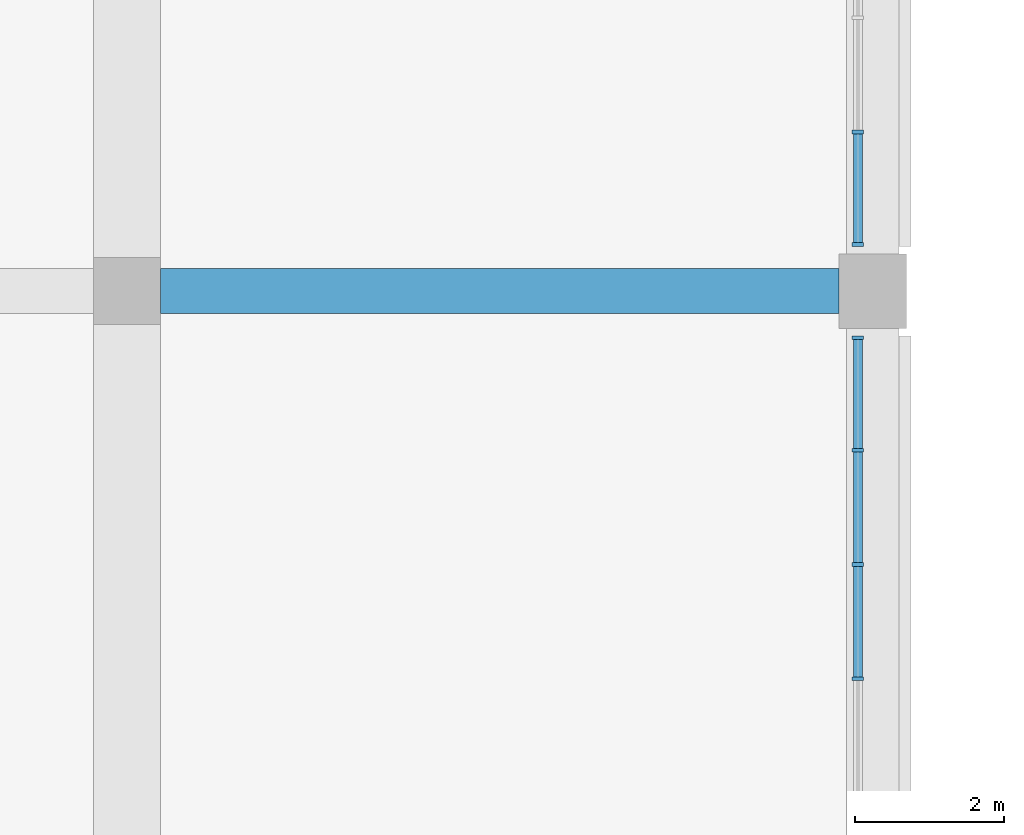
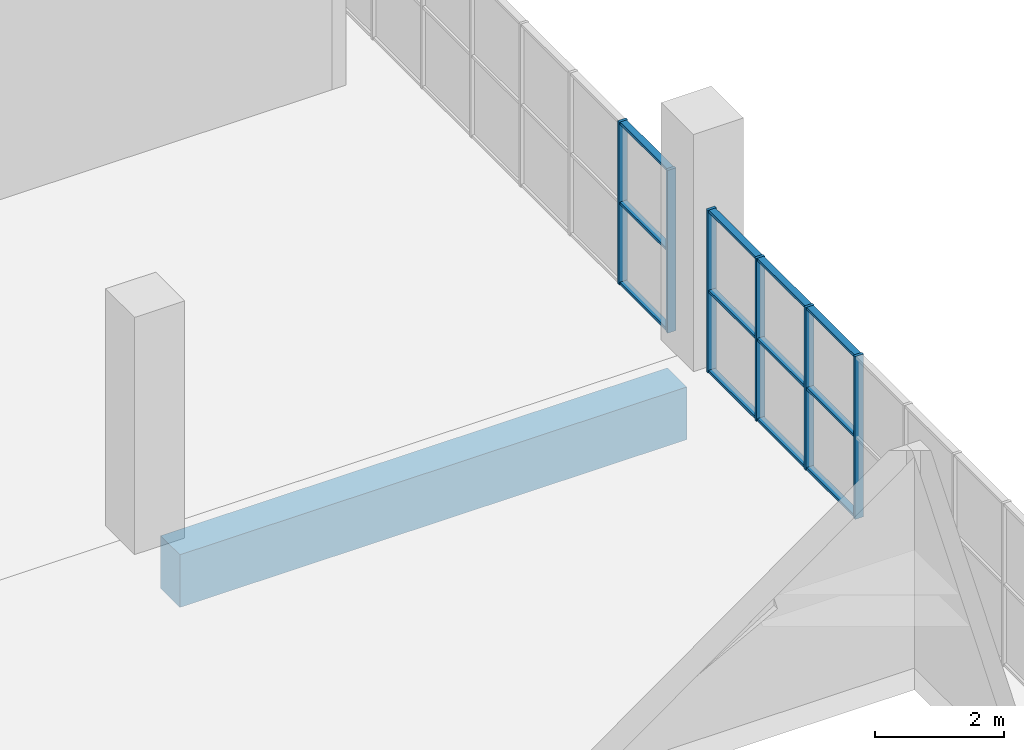
# One storey, part 33 of 199: 18 members, 1 beam, 2 elements without a shape of their own.
"""IFC4 building model written with IfcOpenShell, lengths in metres."""

from ifc_helpers import new_model, si_unit, direction, frame, origin, origin_2d, place, context, subcontext, project, spatial, rectangle, extrude, material, material_profile, profile_set, type_object, element, aggregate, save


model = new_model("IFC4")

# Units and contexts
model_context = context("Model", 3, precision=1e-05, world=origin(), true_north=direction((0.0, 1.0)))
body_context = subcontext(model_context, "Body", "Model", "MODEL_VIEW")
ifc_project = project(units=[si_unit("LENGTHUNIT", "METRE"), si_unit("AREAUNIT", "SQUARE_METRE"), si_unit("VOLUMEUNIT", "CUBIC_METRE"), si_unit("PLANEANGLEUNIT", "RADIAN"), si_unit("MASSUNIT", "GRAM", prefix="KILO")], contexts=[model_context])

# Site, building, storey
site_placement = place(None, origin())
site = spatial("IfcSite", under=ifc_project, at=site_placement, CompositionType="ELEMENT")
building_placement = place(site_placement, origin())
building = spatial("IfcBuilding", under=site, at=building_placement, Name="Ogive Plaza Stadium", CompositionType="ELEMENT")
storey_placement = place(building_placement, frame((0.0, 0.0, 4.5)))
storey = spatial("IfcBuildingStorey", under=building, at=storey_placement, Name="L01", CompositionType="ELEMENT", Elevation=4.5)

# Curtain wall, members
ifc_material_1 = material(Name="Bronze-anodised aluminium with laminated glass", Category="aluminium")
curtain_wall_type = type_object("IfcCurtainWallType", Name="Lancet curtain wall", PredefinedType="NOTDEFINED", material=ifc_material_1)
curtain_wall_1_placement = place(storey_placement, origin())
curtain_wall_1 = element("IfcCurtainWall", 1, at=curtain_wall_1_placement, inside=storey, type_object=curtain_wall_type, Name="CURTAIN WALL B02 L01", PredefinedType="NOTDEFINED")
ifc_material_2 = material(Name="Bronze-anodised aluminium", Category="aluminium")
ifc_material_profile_1 = material_profile(ifc_material_2, rectangle(XDim=0.14990234375, YDim=0.050048828125, at=origin_2d()), Name="AL 150x50")
ifc_profile_set_1 = profile_set([ifc_material_profile_1], Name="Bronze-anodised aluminium")
member_type_1 = type_object("IfcMemberType", Name="Curtain wall mullion 50x150", PredefinedType="MULLION", material=ifc_profile_set_1)
member_1_placement = place(storey_placement, frame((83.800048828125, 24.63330078125, 0.0), z_axis=(0.0, 0.0, 1.0), x_axis=(1.0, 0.0, 0.0)))
member_1 = element("IfcMember", 2, at=member_1_placement, type_object=member_type_1, Name="CW-B02-L01 mullion 9", PredefinedType="MULLION", context=body_context, shape_type="SweptSolid", body=[
    extrude(rectangle(XDim=0.14990234375, YDim=0.050048828125, at=origin_2d()), origin(), (0.0, 0.0, 1.0), 3.090087890625),
])
member_2_placement = place(storey_placement, frame((83.800048828125, 23.125, 0.0), z_axis=(0.0, 0.0, 1.0), x_axis=(1.0, 0.0, 0.0)))
member_2 = element("IfcMember", 3, at=member_2_placement, type_object=member_type_1, Name="CW-B02-L01 mullion 10", PredefinedType="MULLION", context=body_context, shape_type="SweptSolid", body=[
    extrude(rectangle(XDim=0.14990234375, YDim=0.050048828125, at=origin_2d()), origin(), (0.0, 0.0, 1.0), 3.090087890625),
])

curtain_wall_2_placement = place(storey_placement, origin())
curtain_wall_2 = element("IfcCurtainWall", 4, at=curtain_wall_2_placement, inside=storey, type_object=curtain_wall_type, Name="CURTAIN WALL B03 L01", PredefinedType="NOTDEFINED")
member_3_placement = place(storey_placement, frame((83.800048828125, 21.875, 0.0), z_axis=(0.0, 0.0, 1.0), x_axis=(1.0, 0.0, 0.0)))
member_3 = element("IfcMember", 5, at=member_3_placement, type_object=member_type_1, Name="CW-B03-L01 mullion 1", PredefinedType="MULLION", context=body_context, shape_type="SweptSolid", body=[
    extrude(rectangle(XDim=0.14990234375, YDim=0.050048828125, at=origin_2d()), origin(), (0.0, 0.0, 1.0), 3.090087890625),
])
member_4_placement = place(storey_placement, frame((83.800048828125, 20.36669921875, 0.0), z_axis=(0.0, 0.0, 1.0), x_axis=(1.0, 0.0, 0.0)))
member_4 = element("IfcMember", 6, at=member_4_placement, type_object=member_type_1, Name="CW-B03-L01 mullion 2", PredefinedType="MULLION", context=body_context, shape_type="SweptSolid", body=[
    extrude(rectangle(XDim=0.14990234375, YDim=0.050048828125, at=origin_2d()), origin(), (0.0, 0.0, 1.0), 3.090087890625),
])
member_5_placement = place(storey_placement, frame((83.800048828125, 18.833251953125, 0.0), z_axis=(0.0, 0.0, 1.0), x_axis=(1.0, 0.0, 0.0)))
member_5 = element("IfcMember", 7, at=member_5_placement, type_object=member_type_1, Name="CW-B03-L01 mullion 3", PredefinedType="MULLION", context=body_context, shape_type="SweptSolid", body=[
    extrude(rectangle(XDim=0.14990234375, YDim=0.050048828125, at=origin_2d()), origin(), (0.0, 0.0, 1.0), 3.090087890625),
])
member_6_placement = place(storey_placement, frame((83.800048828125, 17.300048828125, 0.0), z_axis=(0.0, 0.0, 1.0), x_axis=(1.0, 0.0, 0.0)))
member_6 = element("IfcMember", 8, at=member_6_placement, type_object=member_type_1, Name="CW-B03-L01 mullion 4", PredefinedType="MULLION", context=body_context, shape_type="SweptSolid", body=[
    extrude(rectangle(XDim=0.14990234375, YDim=0.050048828125, at=origin_2d()), origin(), (0.0, 0.0, 1.0), 3.090087890625),
])

# Member
ifc_material_3 = material(Name="Bronze-anodised aluminium", Category="aluminium")
ifc_material_profile_2 = material_profile(ifc_material_3, rectangle(XDim=0.1201171875, YDim=0.050048828125, at=origin_2d()), Name="AL 120x50")
ifc_profile_set_2 = profile_set([ifc_material_profile_2], Name="Bronze-anodised aluminium")
member_type_2 = type_object("IfcMemberType", Name="Curtain wall transom 50x120", PredefinedType="USERDEFINED", material=ifc_profile_set_2)
member_7_placement = place(storey_placement, frame((83.800048828125, 24.6083984375, 0.02490234375), z_axis=(0.0, -1.0, 0.0), x_axis=(1.0, 0.0, 0.0)))
member_7 = element("IfcMember", 9, at=member_7_placement, type_object=member_type_2, Name="CW-B02-L01 transom 9.1", ObjectType="TRANSOM", PredefinedType="USERDEFINED", context=body_context, shape_type="SweptSolid", body=[
    extrude(rectangle(XDim=0.1201171875, YDim=0.050048828125, at=origin_2d()), origin(), (0.0, 0.0, 1.0), 1.45849609375),
])

member_8_placement = place(storey_placement, frame((83.800048828125, 24.6083984375, 1.544921875), z_axis=(0.0, -1.0, 0.0), x_axis=(1.0, 0.0, 0.0)))
member_8 = element("IfcMember", 10, at=member_8_placement, type_object=member_type_2, Name="CW-B02-L01 transom 9.2", ObjectType="TRANSOM", PredefinedType="USERDEFINED", context=body_context, shape_type="SweptSolid", body=[
    extrude(rectangle(XDim=0.1201171875, YDim=0.050048828125, at=origin_2d()), origin(), (0.0, 0.0, 1.0), 1.45849609375),
])

member_9_placement = place(storey_placement, frame((83.800048828125, 24.6083984375, 3.06494140625), z_axis=(0.0, -1.0, 0.0), x_axis=(1.0, 0.0, 0.0)))
member_9 = element("IfcMember", 11, at=member_9_placement, type_object=member_type_2, Name="CW-B02-L01 transom 9.3", ObjectType="TRANSOM", PredefinedType="USERDEFINED", context=body_context, shape_type="SweptSolid", body=[
    extrude(rectangle(XDim=0.1201171875, YDim=0.050048828125, at=origin_2d()), origin(), (0.0, 0.0, 1.0), 1.45849609375),
])

aggregate(curtain_wall_1, [member_1, member_2, member_7, member_8, member_9])

member_10_placement = place(storey_placement, frame((83.800048828125, 21.85009765625, 0.02490234375), z_axis=(0.0, -1.0, 0.0), x_axis=(1.0, 0.0, 0.0)))
member_10 = element("IfcMember", 12, at=member_10_placement, type_object=member_type_2, Name="CW-B03-L01 transom 1.1", ObjectType="TRANSOM", PredefinedType="USERDEFINED", context=body_context, shape_type="SweptSolid", body=[
    extrude(rectangle(XDim=0.1201171875, YDim=0.050048828125, at=origin_2d()), origin(), (0.0, 0.0, 1.0), 1.45849609375),
])

member_11_placement = place(storey_placement, frame((83.800048828125, 21.85009765625, 1.544921875), z_axis=(0.0, -1.0, 0.0), x_axis=(1.0, 0.0, 0.0)))
member_11 = element("IfcMember", 13, at=member_11_placement, type_object=member_type_2, Name="CW-B03-L01 transom 1.2", ObjectType="TRANSOM", PredefinedType="USERDEFINED", context=body_context, shape_type="SweptSolid", body=[
    extrude(rectangle(XDim=0.1201171875, YDim=0.050048828125, at=origin_2d()), origin(), (0.0, 0.0, 1.0), 1.45849609375),
])

member_12_placement = place(storey_placement, frame((83.800048828125, 21.85009765625, 3.06494140625), z_axis=(0.0, -1.0, 0.0), x_axis=(1.0, 0.0, 0.0)))
member_12 = element("IfcMember", 14, at=member_12_placement, type_object=member_type_2, Name="CW-B03-L01 transom 1.3", ObjectType="TRANSOM", PredefinedType="USERDEFINED", context=body_context, shape_type="SweptSolid", body=[
    extrude(rectangle(XDim=0.1201171875, YDim=0.050048828125, at=origin_2d()), origin(), (0.0, 0.0, 1.0), 1.45849609375),
])

member_13_placement = place(storey_placement, frame((83.800048828125, 20.341552734375, 0.02490234375), z_axis=(0.0, -1.0, 0.0), x_axis=(1.0, 0.0, 0.0)))
member_13 = element("IfcMember", 15, at=member_13_placement, type_object=member_type_2, Name="CW-B03-L01 transom 2.1", ObjectType="TRANSOM", PredefinedType="USERDEFINED", context=body_context, shape_type="SweptSolid", body=[
    extrude(rectangle(XDim=0.1201171875, YDim=0.050048828125, at=origin_2d()), origin(), (0.0, 0.0, 1.0), 1.483154296875),
])

member_14_placement = place(storey_placement, frame((83.800048828125, 20.341552734375, 1.544921875), z_axis=(0.0, -1.0, 0.0), x_axis=(1.0, 0.0, 0.0)))
member_14 = element("IfcMember", 16, at=member_14_placement, type_object=member_type_2, Name="CW-B03-L01 transom 2.2", ObjectType="TRANSOM", PredefinedType="USERDEFINED", context=body_context, shape_type="SweptSolid", body=[
    extrude(rectangle(XDim=0.1201171875, YDim=0.050048828125, at=origin_2d()), origin(), (0.0, 0.0, 1.0), 1.483154296875),
])

member_15_placement = place(storey_placement, frame((83.800048828125, 20.341552734375, 3.06494140625), z_axis=(0.0, -1.0, 0.0), x_axis=(1.0, 0.0, 0.0)))
member_15 = element("IfcMember", 17, at=member_15_placement, type_object=member_type_2, Name="CW-B03-L01 transom 2.3", ObjectType="TRANSOM", PredefinedType="USERDEFINED", context=body_context, shape_type="SweptSolid", body=[
    extrude(rectangle(XDim=0.1201171875, YDim=0.050048828125, at=origin_2d()), origin(), (0.0, 0.0, 1.0), 1.483154296875),
])

member_16_placement = place(storey_placement, frame((83.800048828125, 18.808349609375, 0.02490234375), z_axis=(0.0, -1.0, 0.0), x_axis=(1.0, 0.0, 0.0)))
member_16 = element("IfcMember", 18, at=member_16_placement, type_object=member_type_2, Name="CW-B03-L01 transom 3.1", ObjectType="TRANSOM", PredefinedType="USERDEFINED", context=body_context, shape_type="SweptSolid", body=[
    extrude(rectangle(XDim=0.1201171875, YDim=0.050048828125, at=origin_2d()), origin(), (0.0, 0.0, 1.0), 1.4833984375),
])

member_17_placement = place(storey_placement, frame((83.800048828125, 18.808349609375, 1.544921875), z_axis=(0.0, -1.0, 0.0), x_axis=(1.0, 0.0, 0.0)))
member_17 = element("IfcMember", 19, at=member_17_placement, type_object=member_type_2, Name="CW-B03-L01 transom 3.2", ObjectType="TRANSOM", PredefinedType="USERDEFINED", context=body_context, shape_type="SweptSolid", body=[
    extrude(rectangle(XDim=0.1201171875, YDim=0.050048828125, at=origin_2d()), origin(), (0.0, 0.0, 1.0), 1.4833984375),
])

member_18_placement = place(storey_placement, frame((83.800048828125, 18.808349609375, 3.06494140625), z_axis=(0.0, -1.0, 0.0), x_axis=(1.0, 0.0, 0.0)))
member_18 = element("IfcMember", 20, at=member_18_placement, type_object=member_type_2, Name="CW-B03-L01 transom 3.3", ObjectType="TRANSOM", PredefinedType="USERDEFINED", context=body_context, shape_type="SweptSolid", body=[
    extrude(rectangle(XDim=0.1201171875, YDim=0.050048828125, at=origin_2d()), origin(), (0.0, 0.0, 1.0), 1.4833984375),
])

aggregate(curtain_wall_2, [member_3, member_4, member_5, member_6, member_10, member_11, member_12, member_13, member_14, member_15, member_16, member_17, member_18])

# Beam
ifc_material_4 = material(Name="Concrete C40/50", Category="concrete")
ifc_material_profile_3 = material_profile(ifc_material_4, rectangle(XDim=0.60009765625, YDim=1.0, at=origin_2d()), Name="RC 600x1000")
ifc_profile_set_3 = profile_set([ifc_material_profile_3], Name="Concrete C40/50")
beam_type = type_object("IfcBeamType", Name="RC radial beam 600x1000", PredefinedType="BEAM", material=ifc_profile_set_3)
beam_placement = place(storey_placement, frame((74.449951171875, 22.5, -0.909912109375), z_axis=(1.0, 0.0, 0.0), x_axis=(0.0, 1.0, 0.0)))
element("IfcBeam", 21, at=beam_placement, inside=storey, type_object=beam_type, Name="Radial beam L01 R03 F4F5", PredefinedType="BEAM", context=body_context, shape_type="SweptSolid", body=[
    extrude(rectangle(XDim=0.60009765625, YDim=1.0, at=origin_2d()), origin(), (0.0, 0.0, 1.0), 9.10009765625),
])

save(model, "model.ifc")
